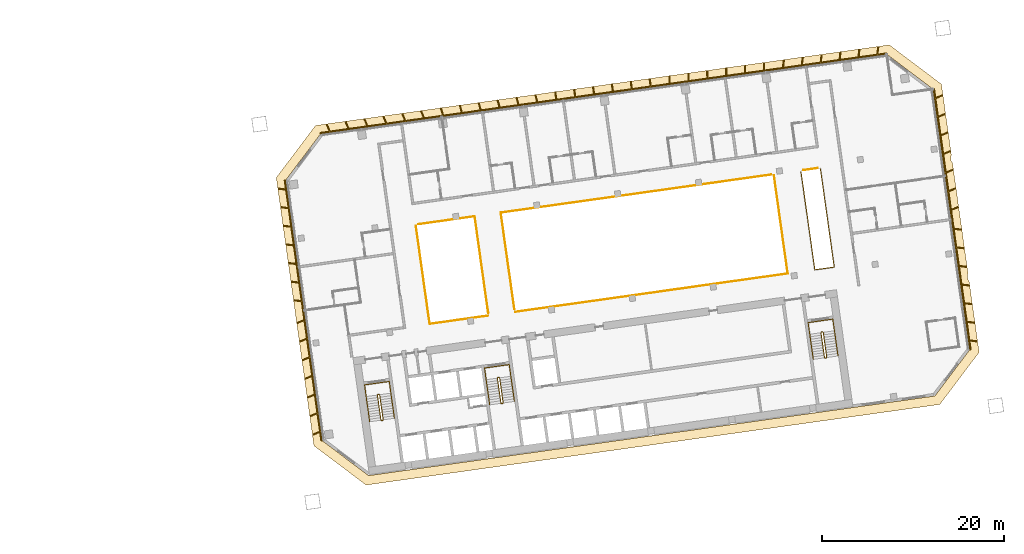
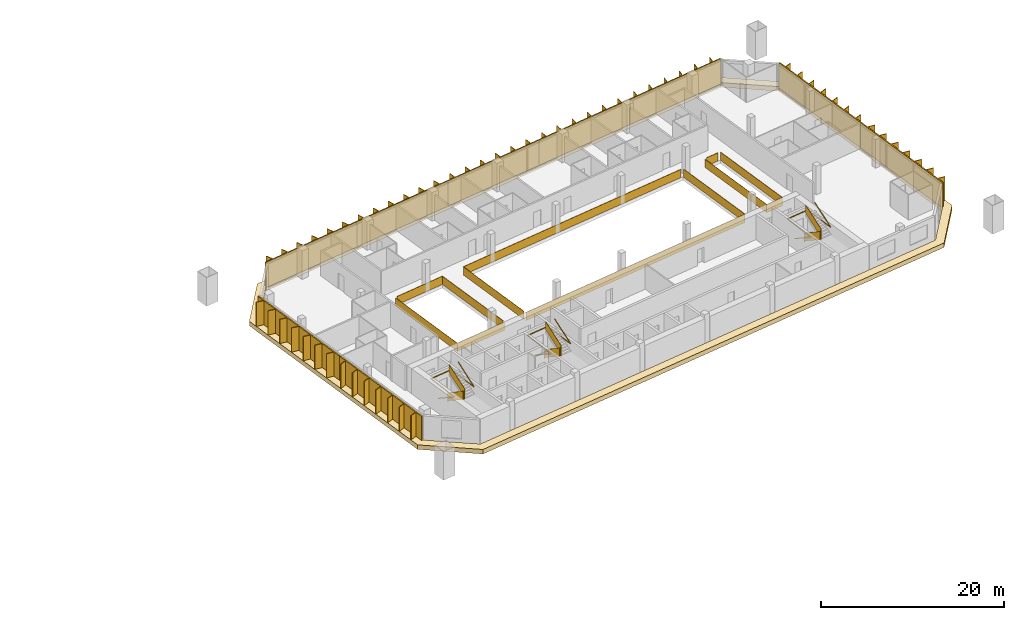
# One storey, part 24 of 24: 12 railings, 9 shading devices, 1 covering.
"""IFC4 building model written with IfcOpenShell, lengths in metres."""

from ifc_helpers import new_model, si_unit, direction, frame, origin, origin_2d, place, context, subcontext, project, spatial, polyline, rectangle, outline, extrude, material, layer, layer_set, type_object, element, save


model = new_model("IFC4")

# Units and contexts
model_context = context("Model", 3, precision=1e-05, world=origin(), true_north=direction((0.0, 1.0)))
body_context = subcontext(model_context, "Body", "Model", "MODEL_VIEW")
ifc_project = project(units=[si_unit("LENGTHUNIT", "METRE"), si_unit("AREAUNIT", "SQUARE_METRE"), si_unit("VOLUMEUNIT", "CUBIC_METRE"), si_unit("PLANEANGLEUNIT", "RADIAN"), si_unit("MASSUNIT", "GRAM", prefix="KILO")], contexts=[model_context])

# Site, building, storey
site_placement = place(None, origin())
site = spatial("IfcSite", under=ifc_project, at=site_placement, CompositionType="ELEMENT")
building_placement = place(site_placement, origin())
building = spatial("IfcBuilding", under=site, at=building_placement, Name="Mirante Cascada Hotel Towers", CompositionType="ELEMENT")
storey_placement = place(building_placement, frame((0.0, 0.0, 132.9)))
storey = spatial("IfcBuildingStorey", under=building, at=storey_placement, Name="L30", CompositionType="ELEMENT", Elevation=132.9)

# Railings
ifc_material_1 = material(Name="Toughened glass with stainless steel handrail", Category="steel")
railing_type_1 = type_object("IfcRailingType", Name="Atrium guard 1100 glass balustrade", PredefinedType="GUARDRAIL", material=ifc_material_1)
railing_1_placement = place(storey_placement, frame((42.3202, 7.3388, 0.0)))
element("IfcRailing", 1, at=railing_1_placement, inside=storey, type_object=railing_type_1, Name="GUARD 2-L30-1", PredefinedType="GUARDRAIL", context=body_context, shape_type="SweptSolid", body=[
    extrude(rectangle(XDim=0.048, YDim=0.048, at=origin_2d()), frame((0.0, 0.0, 1.076), z_axis=(0.1391712, -0.9902683, 0.0), x_axis=(0.9902683, 0.1391712, 0.0)), (0.0, 0.0, 1.0), 10.9333),
    extrude(rectangle(XDim=0.02, YDim=1.052, at=origin_2d()), frame((0.0, 0.0, 0.526), z_axis=(0.1391712, -0.9902683, 0.0), x_axis=(0.9902683, 0.1391712, 0.0)), (0.0, 0.0, 1.0), 10.9333),
    extrude(rectangle(XDim=0.048, YDim=0.048, at=origin_2d()), frame((1.5216, -10.8269, 1.076), z_axis=(0.9902673, 0.1391788, 0.0), x_axis=(-0.1391788, 0.9902673, 0.0)), (0.0, 0.0, 1.0), 6.5125),
    extrude(rectangle(XDim=0.02, YDim=1.052, at=origin_2d()), frame((1.5216, -10.8269, 0.526), z_axis=(0.9902673, 0.1391788, 0.0), x_axis=(-0.1391788, 0.9902673, 0.0)), (0.0, 0.0, 1.0), 6.5125),
])
railing_2_placement = place(storey_placement, frame((53.2617, -2.1642, 0.0)))
element("IfcRailing", 2, at=railing_2_placement, inside=storey, type_object=railing_type_1, Name="GUARD 2-L30-2", PredefinedType="GUARDRAIL", context=body_context, shape_type="SweptSolid", body=[
    extrude(rectangle(XDim=0.048, YDim=0.048, at=origin_2d()), frame((0.0, 0.0, 1.076), z_axis=(0.9902682, 0.1391722, 0.0), x_axis=(-0.1391722, 0.9902682, 0.0)), (0.0, 0.0, 1.0), 30.325),
    extrude(rectangle(XDim=0.02, YDim=1.052, at=origin_2d()), frame((0.0, 0.0, 0.526), z_axis=(0.9902682, 0.1391722, 0.0), x_axis=(-0.1391722, 0.9902682, 0.0)), (0.0, 0.0, 1.0), 30.325),
    extrude(rectangle(XDim=0.048, YDim=0.048, at=origin_2d()), frame((30.0299, 4.2204, 1.076), z_axis=(-0.1391712, 0.9902683, 0.0), x_axis=(-0.9902683, -0.1391712, 0.0)), (0.0, 0.0, 1.0), 10.9333),
    extrude(rectangle(XDim=0.02, YDim=1.052, at=origin_2d()), frame((30.0299, 4.2204, 0.526), z_axis=(-0.1391712, 0.9902683, 0.0), x_axis=(-0.9902683, -0.1391712, 0.0)), (0.0, 0.0, 1.0), 10.9333),
])
railing_3_placement = place(storey_placement, frame((84.7408, 13.3007, 0.0)))
element("IfcRailing", 3, at=railing_3_placement, inside=storey, type_object=railing_type_1, Name="GUARD 2-L30-3", PredefinedType="GUARDRAIL", context=body_context, shape_type="SweptSolid", body=[
    extrude(rectangle(XDim=0.048, YDim=0.048, at=origin_2d()), frame((0.0, 0.0, 1.076), z_axis=(0.1391712, -0.9902683, 0.0), x_axis=(0.9902683, 0.1391712, 0.0)), (0.0, 0.0, 1.0), 10.9333),
    extrude(rectangle(XDim=0.02, YDim=1.052, at=origin_2d()), frame((0.0, 0.0, 0.526), z_axis=(0.1391712, -0.9902683, 0.0), x_axis=(0.9902683, 0.1391712, 0.0)), (0.0, 0.0, 1.0), 10.9333),
    extrude(rectangle(XDim=0.048, YDim=0.048, at=origin_2d()), frame((1.5216, -10.8269, 1.076), z_axis=(0.9902724, 0.1391422, 0.0), x_axis=(-0.1391422, 0.9902724, 0.0)), (0.0, 0.0, 1.0), 2.1625),
    extrude(rectangle(XDim=0.02, YDim=1.052, at=origin_2d()), frame((1.5216, -10.8269, 0.526), z_axis=(0.9902724, 0.1391422, 0.0), x_axis=(-0.1391422, 0.9902724, 0.0)), (0.0, 0.0, 1.0), 2.1625),
    extrude(rectangle(XDim=0.048, YDim=0.048, at=origin_2d()), frame((3.6631, -10.526, 1.076), z_axis=(-0.1391801, 0.9902671, 0.0), x_axis=(-0.9902671, -0.1391801, 0.0)), (0.0, 0.0, 1.0), 10.9333),
    extrude(rectangle(XDim=0.02, YDim=1.052, at=origin_2d()), frame((3.6631, -10.526, 0.526), z_axis=(-0.1391801, 0.9902671, 0.0), x_axis=(-0.9902671, -0.1391801, 0.0)), (0.0, 0.0, 1.0), 10.9333),
])
railing_4_placement = place(storey_placement, frame((50.2983, -2.2822, 0.0)))
element("IfcRailing", 4, at=railing_4_placement, inside=storey, type_object=railing_type_1, Name="GUARD 2-L30-4", PredefinedType="GUARDRAIL", context=body_context, shape_type="SweptSolid", body=[
    extrude(rectangle(XDim=0.048, YDim=0.048, at=origin_2d()), frame((0.0, 0.0, 1.076), z_axis=(-0.1391702, 0.9902685, 0.0), x_axis=(-0.9902685, -0.1391702, 0.0)), (0.0, 0.0, 1.0), 10.7545),
    extrude(rectangle(XDim=0.02, YDim=1.052, at=origin_2d()), frame((0.0, 0.0, 0.526), z_axis=(-0.1391702, 0.9902685, 0.0), x_axis=(-0.9902685, -0.1391702, 0.0)), (0.0, 0.0, 1.0), 10.7545),
    extrude(rectangle(XDim=0.048, YDim=0.048, at=origin_2d()), frame((-1.4967, 10.6498, 1.076), z_axis=(-0.990269, -0.1391668, 0.0), x_axis=(0.1391668, -0.990269, 0.0)), (0.0, 0.0, 1.0), 6.2853),
    extrude(rectangle(XDim=0.02, YDim=1.052, at=origin_2d()), frame((-1.4967, 10.6498, 0.526), z_axis=(-0.990269, -0.1391668, 0.0), x_axis=(0.1391668, -0.990269, 0.0)), (0.0, 0.0, 1.0), 6.2853),
])
railing_5_placement = place(storey_placement, frame((81.4802, 12.9602, 0.0)))
element("IfcRailing", 5, at=railing_5_placement, inside=storey, type_object=railing_type_1, Name="GUARD 2-L30-5", PredefinedType="GUARDRAIL", context=body_context, shape_type="SweptSolid", body=[
    extrude(rectangle(XDim=0.048, YDim=0.048, at=origin_2d()), frame((0.0, 0.0, 1.076), z_axis=(-0.9902686, -0.1391697, 0.0), x_axis=(0.1391697, -0.9902686, 0.0)), (0.0, 0.0, 1.0), 30.0978),
    extrude(rectangle(XDim=0.02, YDim=1.052, at=origin_2d()), frame((0.0, 0.0, 0.526), z_axis=(-0.9902686, -0.1391697, 0.0), x_axis=(0.1391697, -0.9902686, 0.0)), (0.0, 0.0, 1.0), 30.0978),
    extrude(rectangle(XDim=0.048, YDim=0.048, at=origin_2d()), frame((-29.8049, -4.1887, 1.076), z_axis=(0.1391715, -0.9902683, 0.0), x_axis=(0.9902683, 0.1391715, 0.0)), (0.0, 0.0, 1.0), 10.7544),
    extrude(rectangle(XDim=0.02, YDim=1.052, at=origin_2d()), frame((-29.8049, -4.1887, 0.526), z_axis=(0.1391715, -0.9902683, 0.0), x_axis=(0.9902683, 0.1391715, 0.0)), (0.0, 0.0, 1.0), 10.7544),
])
railing_6_placement = place(storey_placement, frame((86.5924, 13.6788, 0.0)))
element("IfcRailing", 6, at=railing_6_placement, inside=storey, type_object=railing_type_1, Name="GUARD 2-L30-6", PredefinedType="GUARDRAIL", context=body_context, shape_type="SweptSolid", body=[
    extrude(rectangle(XDim=0.048, YDim=0.048, at=origin_2d()), frame((0.0, 0.0, 1.076), z_axis=(-0.9902552, -0.1392643, 0.0), x_axis=(0.1392643, -0.9902552, 0.0)), (0.0, 0.0, 1.0), 1.6099),
    extrude(rectangle(XDim=0.02, YDim=1.052, at=origin_2d()), frame((0.0, 0.0, 0.526), z_axis=(-0.9902552, -0.1392643, 0.0), x_axis=(0.1392643, -0.9902552, 0.0)), (0.0, 0.0, 1.0), 1.6099),
])

# Covering
ifc_material_2 = material(Name="Precast concrete C40/50 white", Category="concrete")
ifc_layer = layer(ifc_material_2, 0.6)
ifc_layer_set = layer_set([ifc_layer], Name="Precast concrete SUNSHADE band 1000x600")
covering_type = type_object("IfcCoveringType", Name="Precast concrete SUNSHADE band 1000x600", PredefinedType="CLADDING", material=ifc_layer_set)
covering_placement = place(storey_placement, frame((0.0, 0.0, -0.45)))
element("IfcCovering", 7, at=covering_placement, inside=storey, type_object=covering_type, Name="Precast concrete SUNSHADE band T2 L30", PredefinedType="CLADDING", context=body_context, shape_type="SweptSolid", body=[
    extrude(outline(polyline([(26.9341, 12.6299), (31.2626, 18.374), (94.4698, 27.2572), (100.2139, 22.9287), (101.3147, 15.0965), (101.3051, 15.0806), (101.2848, 15.0381), (101.2687, 14.9938), (101.2571, 14.9481), (101.25, 14.9015), (101.2475, 14.8545), (101.2497, 14.8074), (101.2721, 14.571), (101.2788, 14.5244), (101.2901, 14.4786), (101.3058, 14.4342), (101.3257, 14.3915), (101.3498, 14.3511), (101.3777, 14.3131), (101.4092, 14.2781), (101.4327, 14.2567), (103.1465, 2.0626), (103.1298, 2.0355), (103.1092, 1.9932), (103.0928, 1.949), (103.0808, 1.9035), (103.0734, 1.857), (103.0705, 1.8099), (103.0723, 1.7629), (103.0787, 1.7162), (103.1223, 1.4827), (103.1333, 1.4369), (103.1486, 1.3924), (103.1683, 1.3495), (103.192, 1.3089), (103.2196, 1.2707), (103.2509, 1.2354), (103.2645, 1.2228), (104.3652, -6.6094), (100.0367, -12.3535), (36.8295, -21.2367), (31.0854, -16.9082), (26.9341, 12.6299)]), holes=[polyline([(103.3173, -6.3384), (99.2813, 22.3794), (94.1988, 26.2093), (31.8119, 17.4414), (27.982, 12.3589), (32.018, -16.3589), (37.1005, -20.1888), (99.4874, -11.4209), (103.3173, -6.3384)])]), origin(), (0.0, 0.0, 1.0), 0.6),
])

# Railings
ifc_material_3 = material(Name="Painted steel", Category="steel")
railing_type_2 = type_object("IfcRailingType", Name="Stair guard 1100 steel balustrade", PredefinedType="GUARDRAIL", material=ifc_material_3)
railing_7_placement = place(storey_placement, frame((38.2663, -11.2395, 0.0)))
element("IfcRailing", 8, at=railing_7_placement, inside=storey, type_object=railing_type_2, Name="L30 ST2-A stair guard 1", PredefinedType="GUARDRAIL", context=body_context, shape_type="SweptSolid", body=[
    extrude(rectangle(XDim=0.048, YDim=0.048, at=origin_2d()), frame((0.0, 0.0, 1.076), z_axis=(-0.9903326, -0.1387133, 0.0), x_axis=(0.1387133, -0.9903326, 0.0)), (0.0, 0.0, 1.0), 0.1499),
    extrude(rectangle(XDim=0.02, YDim=1.052, at=origin_2d()), frame((0.0, 0.0, 0.526), z_axis=(-0.9903326, -0.1387133, 0.0), x_axis=(0.1387133, -0.9903326, 0.0)), (0.0, 0.0, 1.0), 0.1499),
    extrude(rectangle(XDim=0.048, YDim=0.048, at=origin_2d()), frame((-0.1485, -0.0208, 1.076), z_axis=(-0.6020331, -0.7984711, 0.0), x_axis=(0.7984711, -0.6020331, 0.0)), (0.0, 0.9253398, 0.3791387), 0.1866),
    extrude(rectangle(XDim=0.02, YDim=1.052, at=origin_2d()), frame((-0.1485, -0.0208, 0.526), z_axis=(-0.6020331, -0.7984711, 0.0), x_axis=(0.7984711, -0.6020331, 0.0)), (0.0, 0.9253398, 0.3791387), 0.1866),
    extrude(rectangle(XDim=0.048, YDim=0.048, at=origin_2d()), frame((-0.1911, -0.0773, 1.2487), z_axis=(0.139176, -0.9902677, 0.0), x_axis=(0.9902677, 0.139176, 0.0)), (0.0, 0.5250212, 0.8510891), 3.29),
    extrude(rectangle(XDim=0.02, YDim=1.052, at=origin_2d()), frame((-0.1911, -0.0773, 0.6987), z_axis=(0.139176, -0.9902677, 0.0), x_axis=(0.9902677, 0.139176, 0.0)), (0.0, 0.5250212, 0.8510891), 3.29),
    extrude(rectangle(XDim=0.048, YDim=0.048, at=origin_2d()), frame((0.1986, -2.8501, 2.976), z_axis=(0.9944948, -0.1047858, 0.0), x_axis=(0.1047858, 0.9944948, 0.0)), (0.0, 0.0, 1.0), 0.2061),
    extrude(rectangle(XDim=0.02, YDim=1.052, at=origin_2d()), frame((0.1986, -2.8501, 2.426), z_axis=(0.9944948, -0.1047858, 0.0), x_axis=(0.1047858, 0.9944948, 0.0)), (0.0, 0.0, 1.0), 0.2061),
    extrude(rectangle(XDim=0.048, YDim=0.048, at=origin_2d()), frame((0.4036, -2.8717, 2.976), z_axis=(-0.9902408, -0.1393672, 0.0), x_axis=(0.1393672, -0.9902408, 0.0)), (0.0, 0.0, 1.0), 0.15),
    extrude(rectangle(XDim=0.02, YDim=1.052, at=origin_2d()), frame((0.4036, -2.8717, 2.426), z_axis=(-0.9902408, -0.1393672, 0.0), x_axis=(0.1393672, -0.9902408, 0.0)), (0.0, 0.0, 1.0), 0.15),
    extrude(rectangle(XDim=0.048, YDim=0.048, at=origin_2d()), frame((0.2551, -2.8926, 2.976), z_axis=(0.9270311, 0.3749843, 0.0), x_axis=(-0.3749843, 0.9270311, 0.0)), (0.0, 0.6421903, 0.7665452), 0.2689),
    extrude(rectangle(XDim=0.02, YDim=1.052, at=origin_2d()), frame((0.2551, -2.8926, 2.426), z_axis=(0.9270311, 0.3749843, 0.0), x_axis=(-0.3749843, 0.9270311, 0.0)), (0.0, 0.6421903, 0.7665452), 0.2689),
    extrude(rectangle(XDim=0.048, YDim=0.048, at=origin_2d()), frame((0.4462, -2.8153, 3.1487), z_axis=(-0.139176, 0.9902677, 0.0), x_axis=(-0.9902677, -0.139176, 0.0)), (0.0, 0.5250212, 0.8510891), 3.29),
    extrude(rectangle(XDim=0.02, YDim=1.052, at=origin_2d()), frame((0.4462, -2.8153, 2.5987), z_axis=(-0.139176, 0.9902677, 0.0), x_axis=(-0.9902677, -0.139176, 0.0)), (0.0, 0.5250212, 0.8510891), 3.29),
])
railing_8_placement = place(storey_placement, frame((51.4864, -9.3815, 0.0)))
element("IfcRailing", 9, at=railing_8_placement, inside=storey, type_object=railing_type_2, Name="L30 ST2-B stair guard 1", PredefinedType="GUARDRAIL", context=body_context, shape_type="SweptSolid", body=[
    extrude(rectangle(XDim=0.048, YDim=0.048, at=origin_2d()), frame((0.0, 0.0, 1.076), z_axis=(-0.9902408, -0.1393672, 0.0), x_axis=(0.1393672, -0.9902408, 0.0)), (0.0, 0.0, 1.0), 0.15),
    extrude(rectangle(XDim=0.02, YDim=1.052, at=origin_2d()), frame((0.0, 0.0, 0.526), z_axis=(-0.9902408, -0.1393672, 0.0), x_axis=(0.1393672, -0.9902408, 0.0)), (0.0, 0.0, 1.0), 0.15),
    extrude(rectangle(XDim=0.048, YDim=0.048, at=origin_2d()), frame((-0.1485, -0.0209, 1.076), z_axis=(-0.6020331, -0.7984711, 0.0), x_axis=(0.7984711, -0.6020331, 0.0)), (0.0, 0.9253398, 0.3791387), 0.1866),
    extrude(rectangle(XDim=0.02, YDim=1.052, at=origin_2d()), frame((-0.1485, -0.0209, 0.526), z_axis=(-0.6020331, -0.7984711, 0.0), x_axis=(0.7984711, -0.6020331, 0.0)), (0.0, 0.9253398, 0.3791387), 0.1866),
    extrude(rectangle(XDim=0.048, YDim=0.048, at=origin_2d()), frame((-0.1911, -0.0774, 1.2487), z_axis=(0.139181, -0.990267, 0.0), x_axis=(0.990267, 0.139181, 0.0)), (0.0, 0.5250347, 0.8510808), 3.2899),
    extrude(rectangle(XDim=0.02, YDim=1.052, at=origin_2d()), frame((-0.1911, -0.0774, 0.6987), z_axis=(0.139181, -0.990267, 0.0), x_axis=(0.990267, 0.139181, 0.0)), (0.0, 0.5250347, 0.8510808), 3.2899),
    extrude(rectangle(XDim=0.048, YDim=0.048, at=origin_2d()), frame((0.1986, -2.8501, 2.976), z_axis=(0.9944441, -0.1052656, 0.0), x_axis=(0.1052656, 0.9944441, 0.0)), (0.0, 0.0, 1.0), 0.2061),
    extrude(rectangle(XDim=0.02, YDim=1.052, at=origin_2d()), frame((0.1986, -2.8501, 2.426), z_axis=(0.9944441, -0.1052656, 0.0), x_axis=(0.1052656, 0.9944441, 0.0)), (0.0, 0.0, 1.0), 0.2061),
    extrude(rectangle(XDim=0.048, YDim=0.048, at=origin_2d()), frame((0.4036, -2.8718, 2.976), z_axis=(-0.9902408, -0.1393672, 0.0), x_axis=(0.1393672, -0.9902408, 0.0)), (0.0, 0.0, 1.0), 0.15),
    extrude(rectangle(XDim=0.02, YDim=1.052, at=origin_2d()), frame((0.4036, -2.8718, 2.426), z_axis=(-0.9902408, -0.1393672, 0.0), x_axis=(0.1393672, -0.9902408, 0.0)), (0.0, 0.0, 1.0), 0.15),
    extrude(rectangle(XDim=0.048, YDim=0.048, at=origin_2d()), frame((0.2551, -2.8927, 2.976), z_axis=(0.9268624, 0.3754011, 0.0), x_axis=(-0.3754011, 0.9268624, 0.0)), (0.0, 0.6421217, 0.7666028), 0.269),
    extrude(rectangle(XDim=0.02, YDim=1.052, at=origin_2d()), frame((0.2551, -2.8927, 2.426), z_axis=(0.9268624, 0.3754011, 0.0), x_axis=(-0.3754011, 0.9268624, 0.0)), (0.0, 0.6421217, 0.7666028), 0.269),
    extrude(rectangle(XDim=0.048, YDim=0.048, at=origin_2d()), frame((0.4462, -2.8153, 3.1487), z_axis=(-0.139181, 0.990267, 0.0), x_axis=(-0.990267, -0.139181, 0.0)), (0.0, 0.5250347, 0.8510808), 3.2899),
    extrude(rectangle(XDim=0.02, YDim=1.052, at=origin_2d()), frame((0.4462, -2.8153, 2.5987), z_axis=(-0.139181, 0.990267, 0.0), x_axis=(-0.990267, -0.139181, 0.0)), (0.0, 0.5250347, 0.8510808), 3.2899),
])
railing_9_placement = place(storey_placement, frame((87.1361, -4.3713, 0.0)))
element("IfcRailing", 10, at=railing_9_placement, inside=storey, type_object=railing_type_2, Name="L30 ST2-C stair guard 1", PredefinedType="GUARDRAIL", context=body_context, shape_type="SweptSolid", body=[
    extrude(rectangle(XDim=0.048, YDim=0.048, at=origin_2d()), frame((0.0, 0.0, 1.076), z_axis=(-0.9902537, -0.1392753, 0.0), x_axis=(0.1392753, -0.9902537, 0.0)), (0.0, 0.0, 1.0), 0.1501),
    extrude(rectangle(XDim=0.02, YDim=1.052, at=origin_2d()), frame((0.0, 0.0, 0.526), z_axis=(-0.9902537, -0.1392753, 0.0), x_axis=(0.1392753, -0.9902537, 0.0)), (0.0, 0.0, 1.0), 0.1501),
    extrude(rectangle(XDim=0.048, YDim=0.048, at=origin_2d()), frame((-0.1486, -0.0209, 1.076), z_axis=(-0.601811, -0.7986386, 0.0), x_axis=(0.7986386, -0.601811, 0.0)), (0.0, 0.925603, 0.3784959), 0.1866),
    extrude(rectangle(XDim=0.02, YDim=1.052, at=origin_2d()), frame((-0.1486, -0.0209, 0.526), z_axis=(-0.601811, -0.7986386, 0.0), x_axis=(0.7986386, -0.601811, 0.0)), (0.0, 0.925603, 0.3784959), 0.1866),
    extrude(rectangle(XDim=0.048, YDim=0.048, at=origin_2d()), frame((-0.1911, -0.0773, 1.2487), z_axis=(0.139176, -0.9902677, 0.0), x_axis=(0.9902677, 0.139176, 0.0)), (0.0, 0.5250212, 0.8510891), 3.29),
    extrude(rectangle(XDim=0.02, YDim=1.052, at=origin_2d()), frame((-0.1911, -0.0773, 0.6987), z_axis=(0.139176, -0.9902677, 0.0), x_axis=(0.9902677, 0.139176, 0.0)), (0.0, 0.5250212, 0.8510891), 3.29),
    extrude(rectangle(XDim=0.048, YDim=0.048, at=origin_2d()), frame((0.1986, -2.8501, 2.976), z_axis=(0.9944441, -0.1052656, 0.0), x_axis=(0.1052656, 0.9944441, 0.0)), (0.0, 0.0, 1.0), 0.2061),
    extrude(rectangle(XDim=0.02, YDim=1.052, at=origin_2d()), frame((0.1986, -2.8501, 2.426), z_axis=(0.9944441, -0.1052656, 0.0), x_axis=(0.1052656, 0.9944441, 0.0)), (0.0, 0.0, 1.0), 0.2061),
    extrude(rectangle(XDim=0.048, YDim=0.048, at=origin_2d()), frame((0.4036, -2.8718, 2.976), z_axis=(-0.9903454, -0.1386217, 0.0), x_axis=(0.1386217, -0.9903454, 0.0)), (0.0, 0.0, 1.0), 0.15),
    extrude(rectangle(XDim=0.02, YDim=1.052, at=origin_2d()), frame((0.4036, -2.8718, 2.426), z_axis=(-0.9903454, -0.1386217, 0.0), x_axis=(0.1386217, -0.9903454, 0.0)), (0.0, 0.0, 1.0), 0.15),
    extrude(rectangle(XDim=0.048, YDim=0.048, at=origin_2d()), frame((0.255, -2.8926, 2.976), z_axis=(0.9270311, 0.3749843, 0.0), x_axis=(-0.3749843, 0.9270311, 0.0)), (0.0, 0.6421903, 0.7665452), 0.2689),
    extrude(rectangle(XDim=0.02, YDim=1.052, at=origin_2d()), frame((0.255, -2.8926, 2.426), z_axis=(0.9270311, 0.3749843, 0.0), x_axis=(-0.3749843, 0.9270311, 0.0)), (0.0, 0.6421903, 0.7665452), 0.2689),
    extrude(rectangle(XDim=0.048, YDim=0.048, at=origin_2d()), frame((0.4461, -2.8153, 3.1487), z_axis=(-0.139176, 0.9902677, 0.0), x_axis=(-0.9902677, -0.139176, 0.0)), (0.0, 0.5250212, 0.8510891), 3.29),
    extrude(rectangle(XDim=0.02, YDim=1.052, at=origin_2d()), frame((0.4461, -2.8153, 2.5987), z_axis=(-0.139176, 0.9902677, 0.0), x_axis=(-0.9902677, -0.139176, 0.0)), (0.0, 0.5250212, 0.8510891), 3.29),
])
ifc_material_4 = material(Name="Painted steel", Category="steel")
railing_type_3 = type_object("IfcRailingType", Name="Stair handrail 900 steel tube", PredefinedType="HANDRAIL", material=ifc_material_4)
railing_10_placement = place(storey_placement, frame((36.8374, -11.4908, 0.1727)))
element("IfcRailing", 11, at=railing_10_placement, inside=storey, type_object=railing_type_3, Name="L30 ST2-A stair handrail 1", PredefinedType="HANDRAIL", context=body_context, shape_type="SweptSolid", body=[
    extrude(rectangle(XDim=0.048, YDim=0.048, at=origin_2d()), frame((0.0, 0.0, 0.876), z_axis=(0.139181, -0.990267, 0.0), x_axis=(0.990267, 0.139181, 0.0)), (0.0, 0.5250347, 0.8510808), 3.2899),
    extrude(rectangle(XDim=0.048, YDim=0.048, at=origin_2d()), frame((0.3897, -2.7727, 2.6033), z_axis=(-0.1391707, 0.9902684, 0.0), x_axis=(-0.9902684, -0.1391707, 0.0)), (0.0, 0.0420846, 0.999114), 4.1036),
    extrude(rectangle(XDim=0.048, YDim=0.048, at=origin_2d()), frame((-0.1809, 1.2874, 2.776), z_axis=(0.9902691, 0.1391657, 0.0), x_axis=(-0.1391657, 0.9902691, 0.0)), (0.0, 0.0, 1.0), 2.75),
    extrude(rectangle(XDim=0.048, YDim=0.048, at=origin_2d()), frame((2.5423, 1.6701, 2.776), z_axis=(0.1391707, -0.9902684, 0.0), x_axis=(0.9902684, 0.1391707, 0.0)), (0.0, 0.0, 1.0), 4.1),
    extrude(rectangle(XDim=0.048, YDim=0.048, at=origin_2d()), frame((3.1129, -2.39, 2.776), z_axis=(-0.139181, 0.990267, 0.0), x_axis=(-0.990267, -0.139181, 0.0)), (0.0, 0.5250347, 0.8510808), 3.2899),
])
railing_11_placement = place(storey_placement, frame((50.0575, -9.6328, 0.1727)))
element("IfcRailing", 12, at=railing_11_placement, inside=storey, type_object=railing_type_3, Name="L30 ST2-B stair handrail 1", PredefinedType="HANDRAIL", context=body_context, shape_type="SweptSolid", body=[
    extrude(rectangle(XDim=0.048, YDim=0.048, at=origin_2d()), frame((0.0, 0.0, 0.876), z_axis=(0.139176, -0.9902677, 0.0), x_axis=(0.9902677, 0.139176, 0.0)), (0.0, 0.5250212, 0.8510891), 3.29),
    extrude(rectangle(XDim=0.048, YDim=0.048, at=origin_2d()), frame((0.3897, -2.7728, 2.6033), z_axis=(-0.1391707, 0.9902684, 0.0), x_axis=(-0.9902684, -0.1391707, 0.0)), (0.0, 0.0420846, 0.999114), 4.1036),
    extrude(rectangle(XDim=0.048, YDim=0.048, at=origin_2d()), frame((-0.1809, 1.2873, 2.776), z_axis=(0.9902641, 0.1392013, 0.0), x_axis=(-0.1392013, 0.9902641, 0.0)), (0.0, 0.0, 1.0), 2.75),
    extrude(rectangle(XDim=0.048, YDim=0.048, at=origin_2d()), frame((2.5423, 1.6701, 2.776), z_axis=(0.1391707, -0.9902684, 0.0), x_axis=(0.9902684, 0.1391707, 0.0)), (0.0, 0.0, 1.0), 4.1),
    extrude(rectangle(XDim=0.048, YDim=0.048, at=origin_2d()), frame((3.1129, -2.39, 2.776), z_axis=(-0.139181, 0.990267, 0.0), x_axis=(-0.990267, -0.139181, 0.0)), (0.0, 0.5250347, 0.8510808), 3.2899),
])
railing_12_placement = place(storey_placement, frame((85.7071, -4.6226, 0.1727)))
element("IfcRailing", 13, at=railing_12_placement, inside=storey, type_object=railing_type_3, Name="L30 ST2-C stair handrail 1", PredefinedType="HANDRAIL", context=body_context, shape_type="SweptSolid", body=[
    extrude(rectangle(XDim=0.048, YDim=0.048, at=origin_2d()), frame((0.0, 0.0, 0.876), z_axis=(0.139181, -0.990267, 0.0), x_axis=(0.990267, 0.139181, 0.0)), (0.0, 0.5250347, 0.8510808), 3.2899),
    extrude(rectangle(XDim=0.048, YDim=0.048, at=origin_2d()), frame((0.3897, -2.7727, 2.6033), z_axis=(-0.1391707, 0.9902684, 0.0), x_axis=(-0.9902684, -0.1391707, 0.0)), (0.0, 0.0420846, 0.999114), 4.1036),
    extrude(rectangle(XDim=0.048, YDim=0.048, at=origin_2d()), frame((-0.1809, 1.2874, 2.776), z_axis=(0.9902691, 0.1391657, 0.0), x_axis=(-0.1391657, 0.9902691, 0.0)), (0.0, 0.0, 1.0), 2.75),
    extrude(rectangle(XDim=0.048, YDim=0.048, at=origin_2d()), frame((2.5423, 1.6701, 2.776), z_axis=(0.1391947, -0.990265, 0.0), x_axis=(0.990265, 0.1391947, 0.0)), (0.0, 0.0, 1.0), 4.1),
    extrude(rectangle(XDim=0.048, YDim=0.048, at=origin_2d()), frame((3.113, -2.39, 2.776), z_axis=(-0.139181, 0.990267, 0.0), x_axis=(-0.990267, -0.139181, 0.0)), (0.0, 0.5250347, 0.8510808), 3.2899),
])

# Shading devices
ifc_material_5 = material(Name="White precast concrete C50/60 fin", Category="concrete")
shading_device_type = type_object("IfcShadingDeviceType", Name="Vertical fin set 4500x900", PredefinedType="USERDEFINED", material=ifc_material_5)
shading_device_1_placement = place(storey_placement, origin())
element("IfcShadingDevice", 14, at=shading_device_1_placement, inside=storey, type_object=shading_device_type, Name="FIN T2 L30 front 1", ObjectType="FIN", PredefinedType="USERDEFINED", context=body_context, shape_type="SweptSolid", body=[
    extrude(outline(polyline([(82.8967, 25.5893), (82.7946, 24.758), (84.7922, 25.0387), (84.8968, 25.8913), (84.9762, 25.8815), (84.8742, 25.0503), (86.8717, 25.331), (86.9764, 26.1835), (87.0558, 26.1738), (86.9537, 25.3425), (88.9513, 25.6233), (89.056, 26.4758), (89.1354, 26.4661), (89.0333, 25.6348), (91.0308, 25.9155), (91.1355, 26.7681), (91.2149, 26.7583), (91.1129, 25.9271), (93.1104, 26.2078), (93.2151, 27.0603), (93.2945, 27.0506), (93.1924, 26.2193), (94.1779, 26.3578), (94.1988, 26.2093), (81.7214, 24.4557), (81.7006, 24.6042), (82.7126, 24.7465), (82.8173, 25.599), (82.8967, 25.5893)])), origin(), (0.0, 0.0, 1.0), 3.35),
])
shading_device_2_placement = place(storey_placement, origin())
element("IfcShadingDevice", 15, at=shading_device_2_placement, inside=storey, type_object=shading_device_type, Name="FIN T2 L30 front 2", ObjectType="FIN", PredefinedType="USERDEFINED", context=body_context, shape_type="SweptSolid", body=[
    extrude(outline(polyline([(70.3021, 23.8476), (70.3094, 23.0033), (72.3091, 23.2844), (72.3016, 24.1392), (72.3816, 24.1399), (72.389, 23.2956), (74.3886, 23.5766), (74.3812, 24.4314), (74.4612, 24.4321), (74.4686, 23.5878), (76.4682, 23.8689), (76.4608, 24.7237), (76.5407, 24.7244), (76.5481, 23.8801), (78.5478, 24.1611), (78.5403, 25.0159), (78.6203, 25.0166), (78.6277, 24.1724), (80.6273, 24.4534), (80.6199, 25.3082), (80.6999, 25.3089), (80.7072, 24.4646), (81.7006, 24.6042), (81.7214, 24.4557), (69.2441, 22.7021), (69.2232, 22.8507), (70.2295, 22.9921), (70.2221, 23.8469), (70.3021, 23.8476)])), origin(), (0.0, 0.0, 1.0), 3.35),
])
shading_device_3_placement = place(storey_placement, origin())
element("IfcShadingDevice", 16, at=shading_device_3_placement, inside=storey, type_object=shading_device_type, Name="FIN T2 L30 front 3", ObjectType="FIN", PredefinedType="USERDEFINED", context=body_context, shape_type="SweptSolid", body=[
    extrude(outline(polyline([(57.7069, 22.0905), (57.8252, 21.2488), (59.8255, 21.5299), (59.7072, 22.3716), (59.7865, 22.3828), (59.9048, 21.541), (61.9051, 21.8222), (61.7868, 22.6639), (61.866, 22.675), (61.9843, 21.8333), (63.9847, 22.1144), (63.8664, 22.9562), (63.9456, 22.9673), (64.0639, 22.1256), (66.0642, 22.4067), (65.9459, 23.2484), (66.0251, 23.2596), (66.1434, 22.4178), (68.1438, 22.699), (68.0255, 23.5407), (68.1047, 23.5518), (68.223, 22.7101), (69.2232, 22.8507), (69.2441, 22.7021), (56.7667, 20.9485), (56.7458, 21.0971), (57.746, 21.2376), (57.6277, 22.0794), (57.7069, 22.0905)])), origin(), (0.0, 0.0, 1.0), 3.35),
])
shading_device_4_placement = place(storey_placement, origin())
element("IfcShadingDevice", 17, at=shading_device_4_placement, inside=storey, type_object=shading_device_type, Name="FIN T2 L30 front 4", ObjectType="FIN", PredefinedType="USERDEFINED", context=body_context, shape_type="SweptSolid", body=[
    extrude(outline(polyline([(45.1132, 20.3181), (45.3416, 19.4943), (47.3413, 19.7754), (47.1157, 20.589), (47.1928, 20.6103), (47.4212, 19.7866), (49.4209, 20.0676), (49.1952, 20.8812), (49.2723, 20.9026), (49.5008, 20.0789), (51.5004, 20.3599), (51.2748, 21.1735), (51.3519, 21.1949), (51.5803, 20.3711), (53.58, 20.6521), (53.3544, 21.4657), (53.4314, 21.4871), (53.6599, 20.6634), (55.6595, 20.9444), (55.4339, 21.758), (55.511, 21.7794), (55.7394, 20.9556), (56.7458, 21.0971), (56.7667, 20.9485), (44.2893, 19.195), (44.2684, 19.3435), (45.2617, 19.4831), (45.0361, 20.2967), (45.1132, 20.3181)])), origin(), (0.0, 0.0, 1.0), 3.35),
])
shading_device_5_placement = place(storey_placement, origin())
element("IfcShadingDevice", 18, at=shading_device_5_placement, inside=storey, type_object=shading_device_type, Name="FIN T2 L30 front 5", ObjectType="FIN", PredefinedType="USERDEFINED", context=body_context, shape_type="SweptSolid", body=[
    extrude(outline(polyline([(32.5229, 18.5306), (32.8586, 17.7399), (34.8561, 18.0207), (34.5289, 18.7916), (34.6025, 18.8229), (34.9381, 18.0322), (36.9357, 18.3129), (36.6084, 19.0839), (36.6821, 19.1151), (37.0177, 18.3245), (39.0152, 18.6052), (38.688, 19.3761), (38.7616, 19.4074), (39.0973, 18.6167), (41.0948, 18.8975), (40.7676, 19.6684), (40.8412, 19.6997), (41.1768, 18.909), (43.1744, 19.1897), (42.8471, 19.9607), (42.9208, 19.9919), (43.2564, 19.2013), (44.2684, 19.3435), (44.2893, 19.195), (31.8119, 17.4414), (31.791, 17.5899), (32.7765, 17.7284), (32.4493, 18.4994), (32.5229, 18.5306)])), origin(), (0.0, 0.0, 1.0), 3.35),
])
shading_device_6_placement = place(storey_placement, origin())
element("IfcShadingDevice", 19, at=shading_device_6_placement, inside=storey, type_object=shading_device_type, Name="FIN T2 L30 inner 1", ObjectType="FIN", PredefinedType="USERDEFINED", context=body_context, shape_type="SweptSolid", body=[
    extrude(outline(polyline([(28.8684, -0.8389), (29.6997, -0.941), (29.4229, 1.0283), (28.5704, 1.133), (28.5801, 1.2124), (29.4114, 1.1103), (29.1346, 3.0796), (28.2821, 3.1842), (28.2918, 3.2636), (29.1231, 3.1616), (28.8464, 5.1308), (27.9938, 5.2355), (28.0036, 5.3149), (28.8348, 5.2128), (28.5581, 7.1821), (27.7055, 7.2868), (27.7153, 7.3662), (28.5465, 7.2641), (28.2698, 9.2334), (27.4172, 9.338), (27.427, 9.4174), (28.2583, 9.3154), (27.9815, 11.2846), (27.1289, 11.3893), (27.1387, 11.4687), (27.97, 11.3667), (27.8334, 12.338), (27.982, 12.3589), (30.0, -2.0), (29.8515, -2.0209), (29.7112, -1.023), (28.8587, -0.9183), (28.8684, -0.8389)])), origin(), (0.0, 0.0, 1.0), 3.35),
])
shading_device_7_placement = place(storey_placement, origin())
element("IfcShadingDevice", 20, at=shading_device_7_placement, inside=storey, type_object=shading_device_type, Name="FIN T2 L30 inner 2", ObjectType="FIN", PredefinedType="USERDEFINED", context=body_context, shape_type="SweptSolid", body=[
    extrude(outline(polyline([(30.9308, -15.662), (31.7214, -15.3264), (31.4447, -13.3571), (30.6737, -13.6844), (30.6425, -13.6107), (31.4331, -13.2751), (31.1564, -11.3059), (30.3854, -11.6331), (30.3542, -11.5595), (31.1449, -11.2238), (30.8681, -9.2546), (30.0972, -9.5818), (30.0659, -9.5082), (30.8566, -9.1726), (30.5798, -7.2033), (29.8089, -7.5306), (29.7776, -7.4569), (30.5683, -7.1213), (30.2915, -5.1521), (29.5206, -5.4793), (29.4893, -5.4057), (30.28, -5.07), (30.0032, -3.1008), (29.2323, -3.428), (29.201, -3.3544), (29.9917, -3.0188), (29.8515, -2.0209), (30.0, -2.0), (32.018, -16.3589), (31.8695, -16.3798), (31.733, -15.4084), (30.962, -15.7356), (30.9308, -15.662)])), origin(), (0.0, 0.0, 1.0), 3.35),
])
shading_device_8_placement = place(storey_placement, origin())
element("IfcShadingDevice", 21, at=shading_device_8_placement, inside=storey, type_object=shading_device_type, Name="FIN T2 L30 outer 1", ObjectType="FIN", PredefinedType="USERDEFINED", context=body_context, shape_type="SweptSolid", body=[
    extrude(outline(polyline([(104.1606, -5.4483), (103.3293, -5.3462), (103.4659, -6.3175), (103.3173, -6.3384), (101.2993, 8.0205), (101.4478, 8.0413), (101.5881, 7.0434), (102.4406, 6.9388), (102.4309, 6.8594), (101.5996, 6.9614), (101.8764, 4.9922), (102.7289, 4.8875), (102.7192, 4.8081), (101.8879, 4.9102), (102.1647, 2.9409), (103.0172, 2.8362), (103.0075, 2.7568), (102.1762, 2.8589), (102.4529, 0.8896), (103.3055, 0.785), (103.2957, 0.7056), (102.4645, 0.8076), (102.7412, -1.1616), (103.5938, -1.2663), (103.584, -1.3457), (102.7528, -1.2436), (103.0295, -3.2129), (103.8821, -3.3176), (103.8723, -3.397), (103.041, -3.2949), (103.3178, -5.2642), (104.1704, -5.3689), (104.1606, -5.4483)])), origin(), (0.0, 0.0, 1.0), 3.35),
])
shading_device_9_placement = place(storey_placement, origin())
element("IfcShadingDevice", 22, at=shading_device_9_placement, inside=storey, type_object=shading_device_type, Name="FIN T2 L30 outer 2", ObjectType="FIN", PredefinedType="USERDEFINED", context=body_context, shape_type="SweptSolid", body=[
    extrude(outline(polyline([(102.0983, 9.3749), (101.3076, 9.0392), (101.4478, 8.0413), (101.2993, 8.0205), (99.2813, 22.3794), (99.4298, 22.4002), (99.5663, 21.4289), (100.3373, 21.7561), (100.3685, 21.6825), (99.5779, 21.3469), (99.8546, 19.3776), (100.6256, 19.7048), (100.6568, 19.6312), (99.8662, 19.2956), (100.1429, 17.3263), (100.9139, 17.6536), (100.9451, 17.5799), (100.1544, 17.2443), (100.4312, 15.2751), (101.2021, 15.6023), (101.2334, 15.5287), (100.4427, 15.193), (100.7195, 13.2238), (101.4904, 13.551), (101.5217, 13.4774), (100.731, 13.1418), (101.0078, 11.1725), (101.7787, 11.4998), (101.81, 11.4261), (101.0193, 11.0905), (101.2961, 9.1212), (102.067, 9.4485), (102.0983, 9.3749)])), origin(), (0.0, 0.0, 1.0), 3.35),
])

save(model, "model.ifc")
